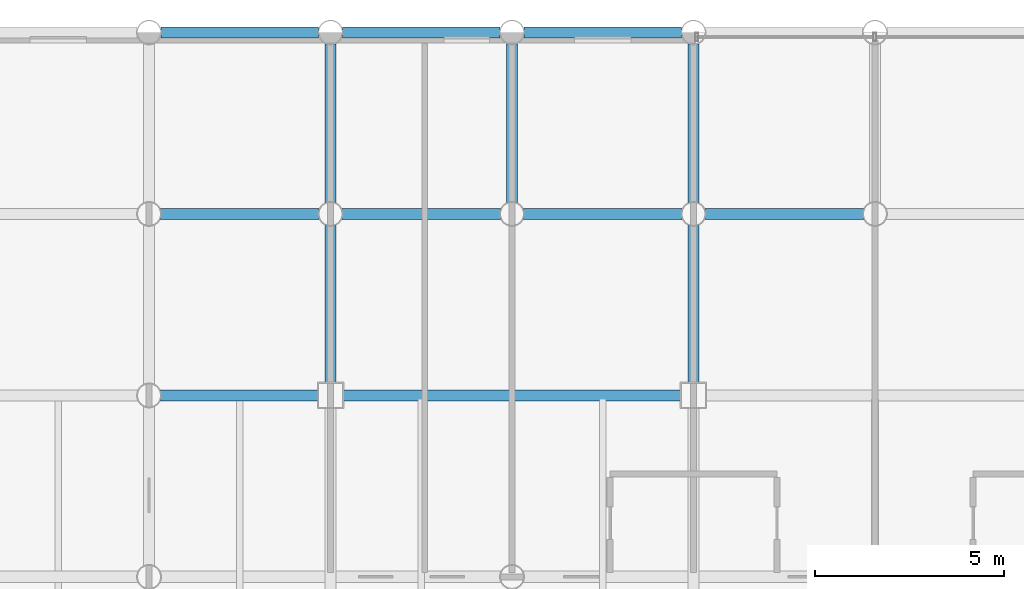
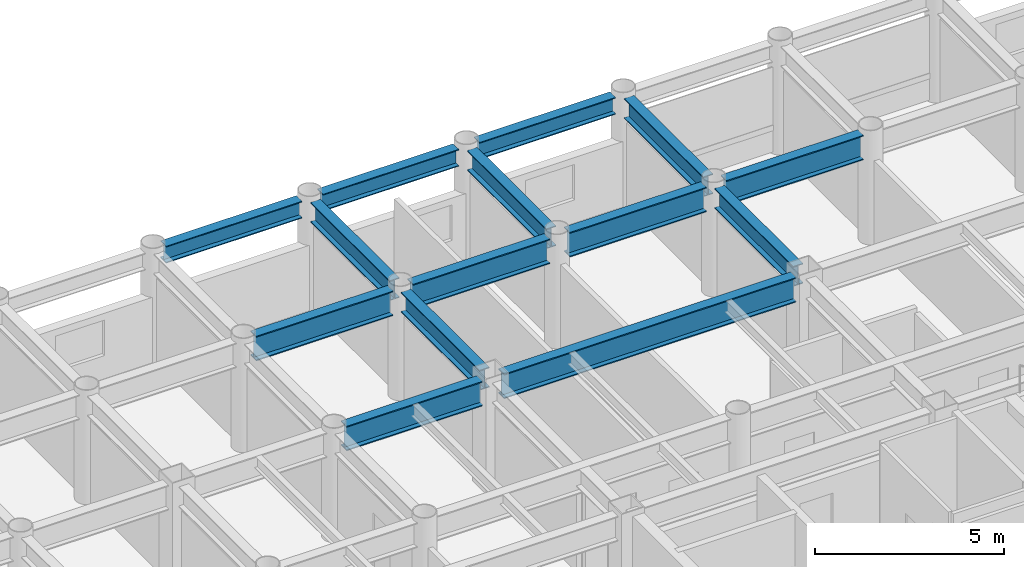
# One storey, part 11 of 20: 14 beams.
"""IFC4 building model written with IfcOpenShell, lengths in metres."""

from ifc_helpers import new_model, si_unit, direction, frame, origin, origin_2d, place, context, subcontext, project, spatial, i_section, extrude, material, material_profile, profile_set, type_object, element, save


model = new_model("IFC4")

# Units and contexts
model_context = context("Model", 3, precision=1e-05, world=origin(), true_north=direction((0.0, 1.0)))
body_context = subcontext(model_context, "Body", "Model", "MODEL_VIEW")
ifc_project = project(units=[si_unit("LENGTHUNIT", "METRE"), si_unit("AREAUNIT", "SQUARE_METRE"), si_unit("VOLUMEUNIT", "CUBIC_METRE"), si_unit("PLANEANGLEUNIT", "RADIAN"), si_unit("MASSUNIT", "GRAM", prefix="KILO")], contexts=[model_context])

# Site, building, storey
site_placement = place(None, origin())
site = spatial("IfcSite", under=ifc_project, at=site_placement, CompositionType="ELEMENT")
building_placement = place(site_placement, origin())
building = spatial("IfcBuilding", under=site, at=building_placement, Name="Kallvorn Hotel Tower", CompositionType="ELEMENT")
storey_placement = place(building_placement, frame((0.0, 0.0, 128.5)))
storey = spatial("IfcBuildingStorey", under=building, at=storey_placement, Name="L31", CompositionType="ELEMENT", Elevation=128.5)

# Beams
ifc_material_1 = material(Name="Structural steel S355JR", Category="steel")
ifc_material_profile_1 = material_profile(ifc_material_1, i_section(OverallWidth=0.300048828125, OverallDepth=0.550048828125, WebThickness=0.014892578125, FlangeThickness=0.029052734375, at=origin_2d()), Name="HE 550 B")
ifc_profile_set_1 = profile_set([ifc_material_profile_1], Name="Structural steel S355JR")
beam_type_1 = type_object("IfcBeamType", Name="BM_HE550B", PredefinedType="SPANDREL", material=ifc_profile_set_1)
beam_1_placement = place(storey_placement, frame((-18.8798828125, 24.0, 3.2451171875), z_axis=(1.0, 0.0, 0.0), x_axis=(0.0, 1.0, 0.0)))
element("IfcBeam", 1, at=beam_1_placement, inside=storey, type_object=beam_type_1, Name="L32 Perimeter Spandrel 165", PredefinedType="SPANDREL", context=body_context, shape_type="SweptSolid", body=[
    extrude(i_section(OverallWidth=0.300048828125, OverallDepth=0.550048828125, WebThickness=0.014892578125, FlangeThickness=0.029052734375, at=origin_2d()), origin(), (0.0, 0.0, 1.0), 4.159912109375),
])
beam_2_placement = place(storey_placement, frame((-14.080078125, 24.0, 3.2451171875), z_axis=(1.0, 0.0, 0.0), x_axis=(0.0, 1.0, 0.0)))
element("IfcBeam", 2, at=beam_2_placement, inside=storey, type_object=beam_type_1, Name="L32 Perimeter Spandrel 166", PredefinedType="SPANDREL", context=body_context, shape_type="SweptSolid", body=[
    extrude(i_section(OverallWidth=0.300048828125, OverallDepth=0.550048828125, WebThickness=0.014892578125, FlangeThickness=0.029052734375, at=origin_2d()), origin(), (0.0, 0.0, 1.0), 4.16015625),
])
beam_3_placement = place(storey_placement, frame((-9.280029296875, 24.0, 3.2451171875), z_axis=(1.0, 0.0, 0.0), x_axis=(0.0, 1.0, 0.0)))
element("IfcBeam", 3, at=beam_3_placement, inside=storey, type_object=beam_type_1, Name="L32 Perimeter Spandrel 167", PredefinedType="SPANDREL", context=body_context, shape_type="SweptSolid", body=[
    extrude(i_section(OverallWidth=0.300048828125, OverallDepth=0.550048828125, WebThickness=0.014892578125, FlangeThickness=0.029052734375, at=origin_2d()), origin(), (0.0, 0.0, 1.0), 4.159912109375),
])
ifc_material_2 = material(Name="Structural steel S355JR", Category="steel")
ifc_material_profile_2 = material_profile(ifc_material_2, i_section(OverallWidth=0.300048828125, OverallDepth=0.64990234375, WebThickness=0.01611328125, FlangeThickness=0.031005859375, at=origin_2d()), Name="HE 650 B")
ifc_profile_set_2 = profile_set([ifc_material_profile_2], Name="Structural steel S355JR")
beam_type_2 = type_object("IfcBeamType", Name="BM_HE650B", PredefinedType="BEAM", material=ifc_profile_set_2)
beam_4_placement = place(storey_placement, frame((-14.39990234375, 14.72509765625, 3.195068359375), z_axis=(0.0, 1.0, 0.0), x_axis=(-1.0, 0.0, 0.0)))
element("IfcBeam", 4, at=beam_4_placement, inside=storey, type_object=beam_type_2, Name="L32 Primary Y-Girder 101", PredefinedType="BEAM", context=body_context, shape_type="SweptSolid", body=[
    extrude(i_section(OverallWidth=0.300048828125, OverallDepth=0.64990234375, WebThickness=0.01611328125, FlangeThickness=0.031005859375, at=origin_2d()), origin(), (0.0, 0.0, 1.0), 4.169921875),
])
for number, where, z_axis, x_axis, name in (
    (5, (-14.39990234375, 19.5048828125, 3.195068359375), (0.0, 1.0, 0.0), (-1.0, 0.0, 0.0), "L32 Primary Y-Girder 102"),
    (6, (-9.60009765625, 19.5048828125, 3.195068359375), (0.0, 1.0, 0.0), (-1.0, 0.0, 0.0), "L32 Primary Y-Girder 105"),
):
    element("IfcBeam", number, at=place(storey_placement, frame(where, z_axis=z_axis, x_axis=x_axis)), inside=storey, type_object=beam_type_2, Name=name, PredefinedType="BEAM", context=body_context, shape_type="SweptSolid", body=[
        extrude(i_section(OverallWidth=0.300048828125, OverallDepth=0.64990234375, WebThickness=0.01611328125, FlangeThickness=0.031005859375, at=origin_2d()), origin(), (0.0, 0.0, 1.0), 4.190185546875),
    ])
beam_5_placement = place(storey_placement, frame((-4.800048828125, 14.72509765625, 3.195068359375), z_axis=(0.0, 1.0, 0.0), x_axis=(-1.0, 0.0, 0.0)))
element("IfcBeam", 7, at=beam_5_placement, inside=storey, type_object=beam_type_2, Name="L32 Primary Y-Girder 109", PredefinedType="BEAM", context=body_context, shape_type="SweptSolid", body=[
    extrude(i_section(OverallWidth=0.300048828125, OverallDepth=0.64990234375, WebThickness=0.01611328125, FlangeThickness=0.031005859375, at=origin_2d()), origin(), (0.0, 0.0, 1.0), 4.169921875),
])
beam_6_placement = place(storey_placement, frame((-4.800048828125, 19.5048828125, 3.195068359375), z_axis=(0.0, 1.0, 0.0), x_axis=(-1.0, 0.0, 0.0)))
element("IfcBeam", 8, at=beam_6_placement, inside=storey, type_object=beam_type_2, Name="L32 Primary Y-Girder 110", PredefinedType="BEAM", context=body_context, shape_type="SweptSolid", body=[
    extrude(i_section(OverallWidth=0.300048828125, OverallDepth=0.64990234375, WebThickness=0.01611328125, FlangeThickness=0.031005859375, at=origin_2d()), origin(), (0.0, 0.0, 1.0), 4.190185546875),
])
ifc_material_3 = material(Name="Structural steel S355JR", Category="steel")
ifc_material_profile_3 = material_profile(ifc_material_3, i_section(OverallWidth=0.300048828125, OverallDepth=0.800048828125, WebThickness=0.017578125, FlangeThickness=0.032958984375, at=origin_2d()), Name="HE 800 B")
ifc_profile_set_3 = profile_set([ifc_material_profile_3], Name="Structural steel S355JR")
beam_type_3 = type_object("IfcBeamType", Name="BM_HE800B", PredefinedType="BEAM", material=ifc_profile_set_3)
beam_7_placement = place(storey_placement, frame((-18.89501953125, 14.39990234375, 3.1201171875), z_axis=(1.0, 0.0, 0.0), x_axis=(0.0, 1.0, 0.0)))
element("IfcBeam", 9, at=beam_7_placement, inside=storey, type_object=beam_type_3, Name="L32 Primary X-Girder 53", PredefinedType="BEAM", context=body_context, shape_type="SweptSolid", body=[
    extrude(i_section(OverallWidth=0.300048828125, OverallDepth=0.800048828125, WebThickness=0.017578125, FlangeThickness=0.032958984375, at=origin_2d()), origin(), (0.0, 0.0, 1.0), 4.169921875),
])
beam_8_placement = place(storey_placement, frame((-14.074951171875, 14.39990234375, 3.1201171875), z_axis=(1.0, 0.0, 0.0), x_axis=(0.0, 1.0, 0.0)))
element("IfcBeam", 10, at=beam_8_placement, inside=storey, type_object=beam_type_3, Name="L32 Primary X-Girder 54", PredefinedType="BEAM", context=body_context, shape_type="SweptSolid", body=[
    extrude(i_section(OverallWidth=0.300048828125, OverallDepth=0.800048828125, WebThickness=0.017578125, FlangeThickness=0.032958984375, at=origin_2d()), origin(), (0.0, 0.0, 1.0), 8.949951171875),
])
for number, where, z_axis, x_axis, name in (
    (11, (-18.89501953125, 19.199951171875, 3.1201171875), (1.0, 0.0, 0.0), (0.0, 1.0, 0.0), "L32 Primary X-Girder 63"),
    (12, (-14.094970703125, 19.199951171875, 3.1201171875), (1.0, 0.0, 0.0), (0.0, 1.0, 0.0), "L32 Primary X-Girder 64"),
    (13, (-9.294921875, 19.199951171875, 3.1201171875), (1.0, 0.0, 0.0), (0.0, 1.0, 0.0), "L32 Primary X-Girder 65"),
):
    element("IfcBeam", number, at=place(storey_placement, frame(where, z_axis=z_axis, x_axis=x_axis)), inside=storey, type_object=beam_type_3, Name=name, PredefinedType="BEAM", context=body_context, shape_type="SweptSolid", body=[
        extrude(i_section(OverallWidth=0.300048828125, OverallDepth=0.800048828125, WebThickness=0.017578125, FlangeThickness=0.032958984375, at=origin_2d()), origin(), (0.0, 0.0, 1.0), 4.18994140625),
    ])
beam_9_placement = place(storey_placement, frame((-4.4951171875, 19.199951171875, 3.1201171875), z_axis=(1.0, 0.0, 0.0), x_axis=(0.0, 1.0, 0.0)))
element("IfcBeam", 14, at=beam_9_placement, inside=storey, type_object=beam_type_3, Name="L32 Primary X-Girder 66", PredefinedType="BEAM", context=body_context, shape_type="SweptSolid", body=[
    extrude(i_section(OverallWidth=0.300048828125, OverallDepth=0.800048828125, WebThickness=0.017578125, FlangeThickness=0.032958984375, at=origin_2d()), origin(), (0.0, 0.0, 1.0), 4.190185546875),
])

save(model, "model.ifc")
